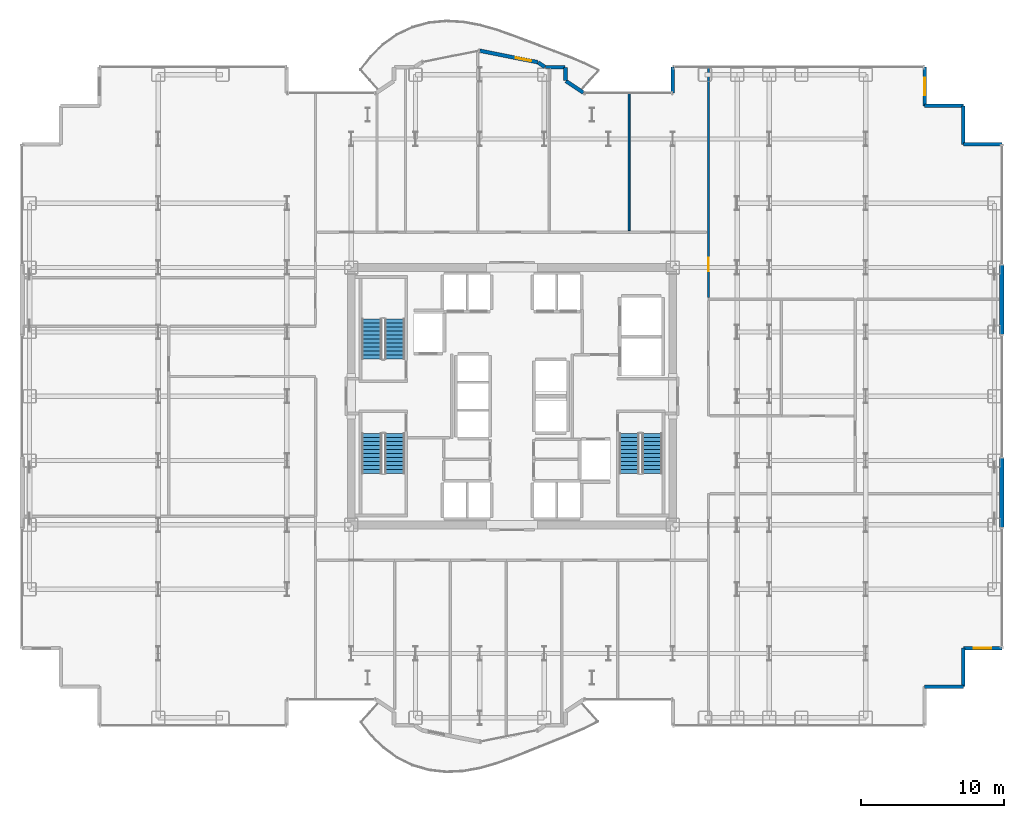
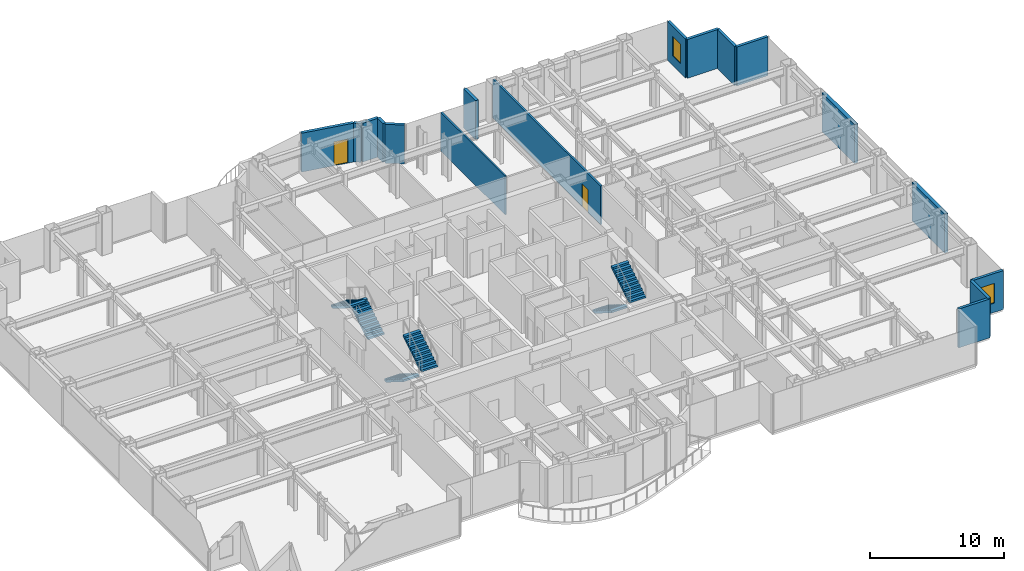
# One storey, part 27 of 29: 17 walls, 6 stair flights, 2 doors, 2 windows, 4 openings, 3 elements without a shape of their own.
"""IFC4 building model written with IfcOpenShell, lengths in metres."""

from ifc_helpers import new_model, si_unit, direction, frame, frame_2d, origin, place, context, subcontext, project, spatial, polyline, rectangle, outline, extrude, source, transform, mapped, material, layer, layer_set, type_object, element, fill, aggregate, save


model = new_model("IFC4")

# Units and contexts
model_context = context("Model", 3, precision=1e-05, world=origin(), true_north=direction((0.0, 1.0)))
body_context = subcontext(model_context, "Body", "Model", "MODEL_VIEW")
ifc_project = project(units=[si_unit("LENGTHUNIT", "METRE"), si_unit("AREAUNIT", "SQUARE_METRE"), si_unit("VOLUMEUNIT", "CUBIC_METRE"), si_unit("PLANEANGLEUNIT", "RADIAN"), si_unit("MASSUNIT", "GRAM", prefix="KILO")], contexts=[model_context])

# Site, building, storey
site_placement = place(None, origin())
site = spatial("IfcSite", under=ifc_project, at=site_placement, CompositionType="ELEMENT")
building_placement = place(site_placement, origin())
building = spatial("IfcBuilding", under=site, at=building_placement, Name="Nefas-Gora Pilgrimage Tower", CompositionType="ELEMENT")
storey_placement = place(building_placement, frame((0.0, 0.0, 90.800048828125)))
storey = spatial("IfcBuildingStorey", under=building, at=storey_placement, Name="L21", CompositionType="ELEMENT", Elevation=90.800048828125)

# Walls
ifc_material_1 = material(Name="Precast concrete C45/55", Category="concrete")
ifc_layer_1 = layer(ifc_material_1, 0.239990234375)
ifc_layer_set_1 = layer_set([ifc_layer_1], Name="Precast concrete C45/55")
wall_type_1 = type_object("IfcWallType", Name="EW-SERR-240", PredefinedType="SHEAR", material=ifc_layer_set_1)
shared_shape_1 = source(origin(), body_context, "Body", "SweptSolid", [
    extrude(rectangle(XDim=4.8798828125, YDim=0.300048828125, at=frame_2d((2.43994140625, 0.0))), origin(), (0.0, 0.0, 1.0), 3.550048828125),
])
for number, where, z_axis, x_axis, name in (
    (1, (34.27001953125, -9.18994140625, 0.0), (0.0, 0.0, 1.0), (0.0, 1.0, 0.0), "L21 Braced-Tube Precast Shear Cladding 3"),
    (2, (34.27001953125, 4.31005859375, 0.0), (0.0, 0.0, 1.0), (0.0, 1.0, 0.0), "L21 Braced-Tube Precast Shear Cladding 4"),
):
    element("IfcWall", number, at=place(storey_placement, frame(where, z_axis=z_axis, x_axis=x_axis)), inside=storey, type_object=wall_type_1, Name=name, PredefinedType="SHEAR", context=body_context, shape_type="MappedRepresentation", body=[
        mapped(shared_shape_1, transform((0.0, 0.0, 0.0), x_axis=(1.0, 0.0, 0.0), y_axis=(0.0, 1.0, 0.0), z_axis=(0.0, 0.0, 1.0), scale=1.0)),
    ])
ifc_material_2 = material(Name="Precast concrete C40/50", Category="concrete")
ifc_layer_2 = layer(ifc_material_2, 0.260009765625)
ifc_layer_set_2 = layer_set([ifc_layer_2], Name="Precast concrete C40/50")
wall_type_2 = type_object("IfcWallType", Name="EW-PORTAL-260", PredefinedType="SOLIDWALL", material=ifc_layer_set_2)
shared_shape_2 = source(origin(), body_context, "Body", "SweptSolid", [
    extrude(rectangle(XDim=1.800048828125, YDim=0.260009765625, at=frame_2d((0.89990234375, 0.0))), origin(), (0.0, 0.0, 1.0), 3.550048828125),
])
wall_1_placement = place(storey_placement, frame((11.25, 23.02001953125, 0.0), z_axis=(0.0, 0.0, 1.0), x_axis=(0.0, -1.0, 0.0)))
element("IfcWall", 3, at=wall_1_placement, inside=storey, type_object=wall_type_2, Name="L21 Lobe Shoulder Precast Spandrel Pier 14", PredefinedType="SOLIDWALL", context=body_context, shape_type="MappedRepresentation", body=[
    mapped(shared_shape_2, transform((0.0, 0.0, 0.0), x_axis=(1.0, 0.0, 0.0), y_axis=(0.0, 1.0, 0.0), z_axis=(0.0, 0.0, 1.0), scale=1.0)),
])
shared_shape_3 = source(origin(), body_context, "Body", "SweptSolid", [
    extrude(rectangle(XDim=2.699951171875, YDim=0.239990234375, at=frame_2d((1.35009765625, 0.0))), origin(), (0.0, 0.0, 1.0), 3.550048828125),
])
for number, where, z_axis, x_axis, name in (
    (4, (28.8701171875, -20.320068359375, 0.0), (0.0, 0.0, 1.0), (1.0, 0.0, 0.0), "L21 Serrated Corner Shear Pier Wall 7"),
    (5, (31.570068359375, -20.320068359375, 0.0), (0.0, 0.0, 1.0), (0.0, 1.0, 0.0), "L21 Serrated Corner Shear Pier Wall 8"),
):
    element("IfcWall", number, at=place(storey_placement, frame(where, z_axis=z_axis, x_axis=x_axis)), inside=storey, type_object=wall_type_1, Name=name, PredefinedType="SHEAR", context=body_context, shape_type="MappedRepresentation", body=[
        mapped(shared_shape_3, transform((0.0, 0.0, 0.0), x_axis=(1.0, 0.0, 0.0), y_axis=(0.0, 1.0, 0.0), z_axis=(0.0, 0.0, 1.0), scale=1.0)),
    ])

# Wall, opening, window
wall_2_placement = place(storey_placement, frame((31.570068359375, -17.6201171875, 0.0), z_axis=(0.0, 0.0, 1.0), x_axis=(1.0, 0.0, 0.0)))
wall_2 = element("IfcWall", 6, at=wall_2_placement, inside=storey, type_object=wall_type_1, Name="L21 Serrated Corner Shear Pier Wall 9", PredefinedType="SHEAR", context=body_context, shape_type="MappedRepresentation", body=[
    mapped(shared_shape_3, transform((0.0, 0.0, 0.0), x_axis=(1.0, 0.0, 0.0), y_axis=(0.0, 1.0, 0.0), z_axis=(0.0, 0.0, 1.0), scale=1.0)),
])
opening_1_placement = place(wall_2_placement, frame((0.75, 0.0, 0.85009765625)))
opening_1 = element("IfcOpeningElement", 7, at=opening_1_placement, cuts=wall_2, Name="Opening W-V1", PredefinedType="OPENING", context=body_context, shape_type="SweptSolid", body=[
    extrude(rectangle(XDim=1.199951171875, YDim=1.800048828125, at=frame_2d((0.60009765625, 0.89990234375))), frame((0.0, 0.1298828125, 0.0), z_axis=(0.0, -1.0, 0.0), x_axis=(1.0, 0.0, 0.0)), (0.0, 0.0, 1.0), 0.260009765625),
])
ifc_material_3 = material(Name="Dark ceramic-fritted operable aluminium-glass window", Category="aluminium")
window_type = type_object("IfcWindowType", Name="WIN-VENT-1200x1800", PartitioningType="SINGLE_PANEL", PredefinedType="WINDOW", material=ifc_material_3)
shared_shape_4 = source(origin(), body_context, "Body", "SweptSolid", [
    extrude(rectangle(XDim=1.199951171875, YDim=1.800048828125, at=frame_2d((0.60009765625, 0.89990234375))), frame((0.0, 0.030029296875, 0.0), z_axis=(0.0, -1.0, 0.0), x_axis=(1.0, 0.0, 0.0)), (0.0, 0.0, 1.0), 0.06005859375),
])
window_1_placement = place(opening_1_placement, origin())
window_1 = element("IfcWindow", 8, at=window_1_placement, inside=storey, type_object=window_type, Name="L21 Operable Parallel-Outswing Window 9", OverallHeight=1.800048828125, OverallWidth=1.199951171875, PartitioningType="SINGLE_PANEL", PredefinedType="WINDOW", context=body_context, shape_type="MappedRepresentation", body=[
    mapped(shared_shape_4, transform((0.0, 0.0, 0.0), x_axis=(1.0, 0.0, 0.0), y_axis=(0.0, 1.0, 0.0), z_axis=(0.0, 0.0, 1.0), scale=1.0)),
])
fill(opening_1, window_1)

# Walls
for number, where, z_axis, x_axis, name in (
    (9, (34.27001953125, 17.6201171875, 0.0), (0.0, 0.0, 1.0), (-1.0, 0.0, 0.0), "L21 Serrated Corner Shear Pier Wall 10"),
    (10, (31.570068359375, 17.6201171875, 0.0), (0.0, 0.0, 1.0), (0.0, 1.0, 0.0), "L21 Serrated Corner Shear Pier Wall 11"),
    (11, (31.570068359375, 20.320068359375, 0.0), (0.0, 0.0, 1.0), (-1.0, 0.0, 0.0), "L21 Serrated Corner Shear Pier Wall 12"),
):
    element("IfcWall", number, at=place(storey_placement, frame(where, z_axis=z_axis, x_axis=x_axis)), inside=storey, type_object=wall_type_1, Name=name, PredefinedType="SHEAR", context=body_context, shape_type="MappedRepresentation", body=[
        mapped(shared_shape_3, transform((0.0, 0.0, 0.0), x_axis=(1.0, 0.0, 0.0), y_axis=(0.0, 1.0, 0.0), z_axis=(0.0, 0.0, 1.0), scale=1.0)),
    ])

# Wall, opening, window
wall_3_placement = place(storey_placement, frame((28.8701171875, 20.320068359375, 0.0), z_axis=(0.0, 0.0, 1.0), x_axis=(0.0, 1.0, 0.0)))
wall_3 = element("IfcWall", 12, at=wall_3_placement, inside=storey, type_object=wall_type_1, Name="L21 Serrated Corner Shear Pier Wall 13", PredefinedType="SHEAR", context=body_context, shape_type="MappedRepresentation", body=[
    mapped(shared_shape_3, transform((0.0, 0.0, 0.0), x_axis=(1.0, 0.0, 0.0), y_axis=(0.0, 1.0, 0.0), z_axis=(0.0, 0.0, 1.0), scale=1.0)),
])
opening_2_placement = place(wall_3_placement, frame((0.75, 0.0, 0.85009765625)))
opening_2 = element("IfcOpeningElement", 13, at=opening_2_placement, cuts=wall_3, Name="Opening W-V1", PredefinedType="OPENING", context=body_context, shape_type="SweptSolid", body=[
    extrude(rectangle(XDim=1.199951171875, YDim=1.800048828125, at=frame_2d((0.60009765625, 0.89990234375))), frame((0.0, 0.1298828125, 0.0), z_axis=(0.0, -1.0, 0.0), x_axis=(1.0, 0.0, 0.0)), (0.0, 0.0, 1.0), 0.260009765625),
])
window_2_placement = place(opening_2_placement, origin())
window_2 = element("IfcWindow", 14, at=window_2_placement, inside=storey, type_object=window_type, Name="L21 Operable Parallel-Outswing Window 13", OverallHeight=1.800048828125, OverallWidth=1.199951171875, PartitioningType="SINGLE_PANEL", PredefinedType="WINDOW", context=body_context, shape_type="MappedRepresentation", body=[
    mapped(shared_shape_4, transform((0.0, 0.0, 0.0), x_axis=(1.0, 0.0, 0.0), y_axis=(0.0, 1.0, 0.0), z_axis=(0.0, 0.0, 1.0), scale=1.0)),
])
fill(opening_2, window_2)

# Walls
shared_shape_5 = source(origin(), body_context, "Body", "SweptSolid", [
    extrude(rectangle(XDim=1.468994140625, YDim=0.260009765625, at=frame_2d((0.734375, 0.0))), origin(), (0.0, 0.0, 1.0), 3.550048828125),
])
wall_4_placement = place(storey_placement, frame((4.99462890625, 21.235595703125, 0.0), z_axis=(0.0, 0.0, 1.0), x_axis=(-0.831461760506, 0.555581983884, 0.0)))
element("IfcWall", 15, at=wall_4_placement, inside=storey, type_object=wall_type_2, Name="L21 Lobe Shoulder Precast Spandrel Pier 15", PredefinedType="SOLIDWALL", context=body_context, shape_type="MappedRepresentation", body=[
    mapped(shared_shape_5, transform((0.0, 0.0, 0.0), x_axis=(1.0, 0.0, 0.0), y_axis=(0.0, 1.0, 0.0), z_axis=(0.0, 0.0, 1.0), scale=1.0)),
])
shared_shape_6 = source(origin(), body_context, "Body", "SweptSolid", [
    extrude(rectangle(XDim=0.896728515625, YDim=0.260009765625, at=frame_2d((0.4482421875, 0.0))), origin(), (0.0, 0.0, 1.0), 3.550048828125),
])
wall_5_placement = place(storey_placement, frame((3.75, 22.09521484375, 0.0), z_axis=(0.0, 0.0, 1.0), x_axis=(0.0, 1.0, 0.0)))
element("IfcWall", 16, at=wall_5_placement, inside=storey, type_object=wall_type_2, Name="L21 Lobe Shoulder Precast Spandrel Pier 16", PredefinedType="SOLIDWALL", context=body_context, shape_type="MappedRepresentation", body=[
    mapped(shared_shape_6, transform((0.0, 0.0, 0.0), x_axis=(1.0, 0.0, 0.0), y_axis=(0.0, 1.0, 0.0), z_axis=(0.0, 0.0, 1.0), scale=1.0)),
])
shared_shape_7 = source(origin(), body_context, "Body", "SweptSolid", [
    extrude(rectangle(XDim=1.369873046875, YDim=0.260009765625, at=frame_2d((0.68505859375, 0.0))), origin(), (0.0, 0.0, 1.0), 3.550048828125),
])
wall_6_placement = place(storey_placement, frame((3.721923828125, 23.02001953125, 0.0), z_axis=(0.0, 0.0, 1.0), x_axis=(-1.0, 0.0, 0.0)))
element("IfcWall", 17, at=wall_6_placement, inside=storey, type_object=wall_type_2, Name="L21 Lobe Shoulder Precast Spandrel Pier 17", PredefinedType="SOLIDWALL", context=body_context, shape_type="MappedRepresentation", body=[
    mapped(shared_shape_7, transform((0.0, 0.0, 0.0), x_axis=(1.0, 0.0, 0.0), y_axis=(0.0, 1.0, 0.0), z_axis=(0.0, 0.0, 1.0), scale=1.0)),
])
shared_shape_8 = source(origin(), body_context, "Body", "SweptSolid", [
    extrude(rectangle(XDim=0.5654296875, YDim=0.260009765625, at=frame_2d((0.28271484375, 0.0))), origin(), (0.0, 0.0, 1.0), 3.550048828125),
])
wall_7_placement = place(storey_placement, frame((2.30078125, 23.03564453125, 0.0), z_axis=(0.0, 0.0, 1.0), x_axis=(-0.831651492666, 0.555297933317, 0.0)))
element("IfcWall", 18, at=wall_7_placement, inside=storey, type_object=wall_type_2, Name="L21 Lobe Shoulder Precast Spandrel Pier 18", PredefinedType="SOLIDWALL", context=body_context, shape_type="MappedRepresentation", body=[
    mapped(shared_shape_8, transform((0.0, 0.0, 0.0), x_axis=(1.0, 0.0, 0.0), y_axis=(0.0, 1.0, 0.0), z_axis=(0.0, 0.0, 1.0), scale=1.0)),
])

# Wall, opening, door
shared_shape_9 = source(origin(), body_context, "Body", "SweptSolid", [
    extrude(rectangle(XDim=4.136962890625, YDim=0.260009765625, at=frame_2d((2.068359375, 0.0))), origin(), (0.0, 0.0, 1.0), 3.550048828125),
])
wall_8_placement = place(storey_placement, frame((1.807373046875, 23.365234375, 0.0), z_axis=(0.0, 0.0, 1.0), x_axis=(-0.980782170794, 0.195105954428, 0.0)))
wall_8 = element("IfcWall", 19, at=wall_8_placement, inside=storey, type_object=wall_type_2, Name="L21 Insulated Terrace Portal Wall 19", PredefinedType="SOLIDWALL", context=body_context, shape_type="MappedRepresentation", body=[
    mapped(shared_shape_9, transform((0.0, 0.0, 0.0), x_axis=(1.0, 0.0, 0.0), y_axis=(0.0, 1.0, 0.0), z_axis=(0.0, 0.0, 1.0), scale=1.0)),
])
opening_3_placement = place(wall_8_placement, frame((0.48779296875, 0.0, 0.0)))
opening_3 = element("IfcOpeningElement", 20, at=opening_3_placement, cuts=wall_8, Name="Opening ED-B1", PredefinedType="OPENING", context=body_context, shape_type="SweptSolid", body=[
    extrude(rectangle(XDim=1.10009765625, YDim=2.199951171875, at=frame_2d((0.550048828125, 1.10009765625))), frame((0.0, 0.139892578125, 0.0), z_axis=(0.0, -1.0, 0.0), x_axis=(1.0, 0.0, 0.0)), (0.0, 0.0, 1.0), 0.280029296875),
])
ifc_material_4 = material(Name="Thermally broken glazed aluminium balcony door", Category="aluminium")
door_type_1 = type_object("IfcDoorType", Name="DR-EXT-BAL-1100", OperationType="NOTDEFINED", PredefinedType="DOOR", material=ifc_material_4)
shared_shape_10 = source(origin(), body_context, "Body", "SweptSolid", [
    extrude(rectangle(XDim=1.10009765625, YDim=2.199951171875, at=frame_2d((0.550048828125, 1.10009765625))), frame((0.0, 0.02490234375, 0.0), z_axis=(0.0, -1.0, 0.0), x_axis=(1.0, 0.0, 0.0)), (0.0, 0.0, 1.0), 0.050048828125),
])
door_1_placement = place(opening_3_placement, origin())
door_1 = element("IfcDoor", 21, at=door_1_placement, inside=storey, type_object=door_type_1, Name="L21 Exterior Door (L21 N Lobe Wave Balcony)", OperationType="SINGLE_SWING_LEFT", OverallHeight=2.199951171875, OverallWidth=1.10009765625, PredefinedType="DOOR", context=body_context, shape_type="MappedRepresentation", body=[
    mapped(shared_shape_10, transform((0.0, 0.0, 0.0), x_axis=(1.0, 0.0, 0.0), y_axis=(0.0, 1.0, 0.0), z_axis=(0.0, 0.0, 1.0), scale=1.0)),
])
fill(opening_3, door_1)

# Wall
ifc_material_5 = material(Name="Gypsum twin-stud partition")
ifc_layer_3 = layer(ifc_material_5, 0.139892578125)
ifc_layer_set_3 = layer_set([ifc_layer_3], Name="Gypsum twin-stud partition")
wall_type_3 = type_object("IfcWallType", Name="IW-UNIT-140", PredefinedType="PARTITIONING", material=ifc_layer_set_3)
shared_shape_11 = source(origin(), body_context, "Body", "SweptSolid", [
    extrude(rectangle(XDim=9.64990234375, YDim=0.139892578125, at=frame_2d((4.824951171875, 0.0))), origin(), (0.0, 0.0, 1.0), 3.534912109375),
])
wall_9_placement = place(storey_placement, frame((8.195068359375, 11.590087890625, 0.0), z_axis=(0.0, 0.0, 1.0), x_axis=(0.0, 1.0, 0.0)))
element("IfcWall", 22, at=wall_9_placement, inside=storey, type_object=wall_type_3, Name="L21 Pilgrim Contemplative Lounge Partition Wall 54", PredefinedType="PARTITIONING", context=body_context, shape_type="MappedRepresentation", body=[
    mapped(shared_shape_11, transform((0.0, 0.0, 0.0), x_axis=(1.0, 0.0, 0.0), y_axis=(0.0, 1.0, 0.0), z_axis=(0.0, 0.0, 1.0), scale=1.0)),
])

# Wall, opening, door
ifc_material_6 = material(Name="Gypsum acoustic stud partition")
ifc_layer_4 = layer(ifc_material_6, 0.159912109375)
ifc_layer_set_4 = layer_set([ifc_layer_4], Name="Gypsum acoustic stud partition")
wall_type_4 = type_object("IfcWallType", Name="IW-CORR-160", PredefinedType="PARTITIONING", material=ifc_layer_set_4)
shared_shape_12 = source(origin(), body_context, "Body", "SweptSolid", [
    extrude(rectangle(XDim=16.135009765625, YDim=0.159912109375, at=frame_2d((8.0673828125, 0.0))), origin(), (0.0, 0.0, 1.0), 3.534912109375),
])
wall_10_placement = place(storey_placement, frame((13.739990234375, 6.905029296875, 0.0), z_axis=(0.0, 0.0, 1.0), x_axis=(0.0, 1.0, 0.0)))
wall_10 = element("IfcWall", 23, at=wall_10_placement, inside=storey, type_object=wall_type_4, Name="L21 Pilgrim Contemplative Lounge Partition Wall 47", PredefinedType="PARTITIONING", context=body_context, shape_type="MappedRepresentation", body=[
    mapped(shared_shape_12, transform((0.0, 0.0, 0.0), x_axis=(1.0, 0.0, 0.0), y_axis=(0.0, 1.0, 0.0), z_axis=(0.0, 0.0, 1.0), scale=1.0)),
])
opening_4_placement = place(wall_10_placement, frame((1.827392578125, 0.0, 0.0)))
opening_4 = element("IfcOpeningElement", 24, at=opening_4_placement, cuts=wall_10, Name="Opening ID-GR1", PredefinedType="OPENING", context=body_context, shape_type="SweptSolid", body=[
    extrude(rectangle(XDim=0.949951171875, YDim=2.10009765625, at=frame_2d((0.47509765625, 1.050048828125))), frame((0.0, 0.08984375, 0.0), z_axis=(0.0, -1.0, 0.0), x_axis=(1.0, 0.0, 0.0)), (0.0, 0.0, 1.0), 0.179931640625),
])
ifc_material_7 = material(Name="Solid core oak fire-rated guest entrance door")
door_type_2 = type_object("IfcDoorType", Name="DR-INT-GUEST-950", OperationType="NOTDEFINED", PredefinedType="DOOR", material=ifc_material_7)
shared_shape_13 = source(origin(), body_context, "Body", "SweptSolid", [
    extrude(rectangle(XDim=0.949951171875, YDim=2.10009765625, at=frame_2d((0.47509765625, 1.050048828125))), frame((0.0, 0.02490234375, 0.0), z_axis=(0.0, -1.0, 0.0), x_axis=(1.0, 0.0, 0.0)), (0.0, 0.0, 1.0), 0.050048828125),
])
door_2_placement = place(opening_4_placement, origin())
door_2 = element("IfcDoor", 25, at=door_2_placement, inside=storey, type_object=door_type_2, Name="L21 Pilgrim Contemplative Lounge Door 20", OperationType="SINGLE_SWING_LEFT", OverallHeight=2.10009765625, OverallWidth=0.949951171875, PredefinedType="DOOR", context=body_context, shape_type="MappedRepresentation", body=[
    mapped(shared_shape_13, transform((0.0, 0.0, 0.0), x_axis=(1.0, 0.0, 0.0), y_axis=(0.0, 1.0, 0.0), z_axis=(0.0, 0.0, 1.0), scale=1.0)),
])
fill(opening_4, door_2)

# Stair, stair flights
ifc_material_8 = material(Name="Concrete C45/55", Category="concrete")
stair_type = type_object("IfcStairType", Name="STR-1400-R1727", PredefinedType="HALF_TURN_STAIR", material=ifc_material_8)
stair_1_placement = place(storey_placement, origin())
stair_1 = element("IfcStair", 26, at=stair_1_placement, inside=storey, type_object=stair_type, Name="L21 Pressurised Tower Exit Stair ST-01", PredefinedType="HALF_TURN_STAIR")
stair_flight_type = type_object("IfcStairFlightType", Name="STF-1400-R1727", PredefinedType="STRAIGHT", material=ifc_material_8)
shared_shape_14 = source(origin(), body_context, "Body", "SweptSolid", [
    extrude(outline(polyline([(0.0, 0.0), (0.0, 0.172607421875), (0.280029296875, 0.172607421875), (0.280029296875, 0.345458984375), (0.56005859375, 0.345458984375), (0.56005859375, 0.51806640625), (0.840087890625, 0.51806640625), (0.840087890625, 0.69091796875), (1.1201171875, 0.69091796875), (1.1201171875, 0.863525390625), (1.39990234375, 0.863525390625), (1.39990234375, 1.036376953125), (1.679931640625, 1.036376953125), (1.679931640625, 1.208984375), (1.9599609375, 1.208984375), (1.9599609375, 1.3818359375), (2.239990234375, 1.3818359375), (2.239990234375, 1.554443359375), (2.52001953125, 1.554443359375), (2.52001953125, 1.727294921875), (2.800048828125, 1.727294921875), (2.800048828125, 1.89990234375), (2.800048828125, 1.551025390625), (0.285400390625, 0.0), (0.0, 0.0)])), frame((0.0, 0.699951171875, 0.0), z_axis=(0.0, -1.0, 0.0), x_axis=(1.0, 0.0, 0.0)), (0.0, 0.0, 1.0), 1.39990234375),
])
stair_flight_1_placement = place(storey_placement, frame((-8.199951171875, 2.60009765625, 0.0), z_axis=(0.0, 0.0, 1.0), x_axis=(0.0, 1.0, 0.0)))
stair_flight_1 = element("IfcStairFlight", 27, at=stair_flight_1_placement, type_object=stair_flight_type, Name="ST-01 flight 1", NumberOfRisers=11, NumberOfTreads=10, PredefinedType="STRAIGHT", RiserHeight=0.172727273, TreadLength=0.28, context=body_context, shape_type="MappedRepresentation", body=[
    mapped(shared_shape_14, transform((0.0, 0.0, 0.0), x_axis=(1.0, 0.0, 0.0), y_axis=(0.0, 1.0, 0.0), z_axis=(0.0, 0.0, 1.0), scale=1.0)),
])
stair_flight_2_placement = place(storey_placement, frame((-9.800048828125, 5.39990234375, 1.89990234375), z_axis=(0.0, 0.0, 1.0), x_axis=(0.0, -1.0, 0.0)))
stair_flight_2 = element("IfcStairFlight", 28, at=stair_flight_2_placement, type_object=stair_flight_type, Name="ST-01 flight 2", NumberOfRisers=11, NumberOfTreads=10, PredefinedType="STRAIGHT", RiserHeight=0.172727273, TreadLength=0.28, context=body_context, shape_type="MappedRepresentation", body=[
    mapped(shared_shape_14, transform((0.0, 0.0, 0.0), x_axis=(1.0, 0.0, 0.0), y_axis=(0.0, 1.0, 0.0), z_axis=(0.0, 0.0, 1.0), scale=1.0)),
])
aggregate(stair_1, [stair_flight_1, stair_flight_2])

stair_2_placement = place(storey_placement, origin())
stair_2 = element("IfcStair", 29, at=stair_2_placement, inside=storey, type_object=stair_type, Name="L21 Pressurised Tower Exit Stair ST-02", PredefinedType="HALF_TURN_STAIR")
stair_flight_3_placement = place(storey_placement, frame((8.199951171875, -2.60009765625, 0.0), z_axis=(0.0, 0.0, 1.0), x_axis=(0.0, -1.0, 0.0)))
stair_flight_3 = element("IfcStairFlight", 30, at=stair_flight_3_placement, type_object=stair_flight_type, Name="ST-02 flight 1", NumberOfRisers=11, NumberOfTreads=10, PredefinedType="STRAIGHT", RiserHeight=0.172727273, TreadLength=0.28, context=body_context, shape_type="MappedRepresentation", body=[
    mapped(shared_shape_14, transform((0.0, 0.0, 0.0), x_axis=(1.0, 0.0, 0.0), y_axis=(0.0, 1.0, 0.0), z_axis=(0.0, 0.0, 1.0), scale=1.0)),
])
stair_flight_4_placement = place(storey_placement, frame((9.800048828125, -5.39990234375, 1.89990234375), z_axis=(0.0, 0.0, 1.0), x_axis=(0.0, 1.0, 0.0)))
stair_flight_4 = element("IfcStairFlight", 31, at=stair_flight_4_placement, type_object=stair_flight_type, Name="ST-02 flight 2", NumberOfRisers=11, NumberOfTreads=10, PredefinedType="STRAIGHT", RiserHeight=0.172727273, TreadLength=0.28, context=body_context, shape_type="MappedRepresentation", body=[
    mapped(shared_shape_14, transform((0.0, 0.0, 0.0), x_axis=(1.0, 0.0, 0.0), y_axis=(0.0, 1.0, 0.0), z_axis=(0.0, 0.0, 1.0), scale=1.0)),
])
aggregate(stair_2, [stair_flight_3, stair_flight_4])

stair_3_placement = place(storey_placement, origin())
stair_3 = element("IfcStair", 32, at=stair_3_placement, inside=storey, type_object=stair_type, Name="L21 Pressurised Tower Exit Stair ST-03", PredefinedType="HALF_TURN_STAIR")
stair_flight_5_placement = place(storey_placement, frame((-9.800048828125, -2.60009765625, 0.0), z_axis=(0.0, 0.0, 1.0), x_axis=(0.0, -1.0, 0.0)))
stair_flight_5 = element("IfcStairFlight", 33, at=stair_flight_5_placement, type_object=stair_flight_type, Name="ST-03 flight 1", NumberOfRisers=11, NumberOfTreads=10, PredefinedType="STRAIGHT", RiserHeight=0.172727273, TreadLength=0.28, context=body_context, shape_type="MappedRepresentation", body=[
    mapped(shared_shape_14, transform((0.0, 0.0, 0.0), x_axis=(1.0, 0.0, 0.0), y_axis=(0.0, 1.0, 0.0), z_axis=(0.0, 0.0, 1.0), scale=1.0)),
])
stair_flight_6_placement = place(storey_placement, frame((-8.199951171875, -5.39990234375, 1.89990234375), z_axis=(0.0, 0.0, 1.0), x_axis=(0.0, 1.0, 0.0)))
stair_flight_6 = element("IfcStairFlight", 34, at=stair_flight_6_placement, type_object=stair_flight_type, Name="ST-03 flight 2", NumberOfRisers=11, NumberOfTreads=10, PredefinedType="STRAIGHT", RiserHeight=0.172727273, TreadLength=0.28, context=body_context, shape_type="MappedRepresentation", body=[
    mapped(shared_shape_14, transform((0.0, 0.0, 0.0), x_axis=(1.0, 0.0, 0.0), y_axis=(0.0, 1.0, 0.0), z_axis=(0.0, 0.0, 1.0), scale=1.0)),
])
aggregate(stair_3, [stair_flight_5, stair_flight_6])

save(model, "model.ifc")
